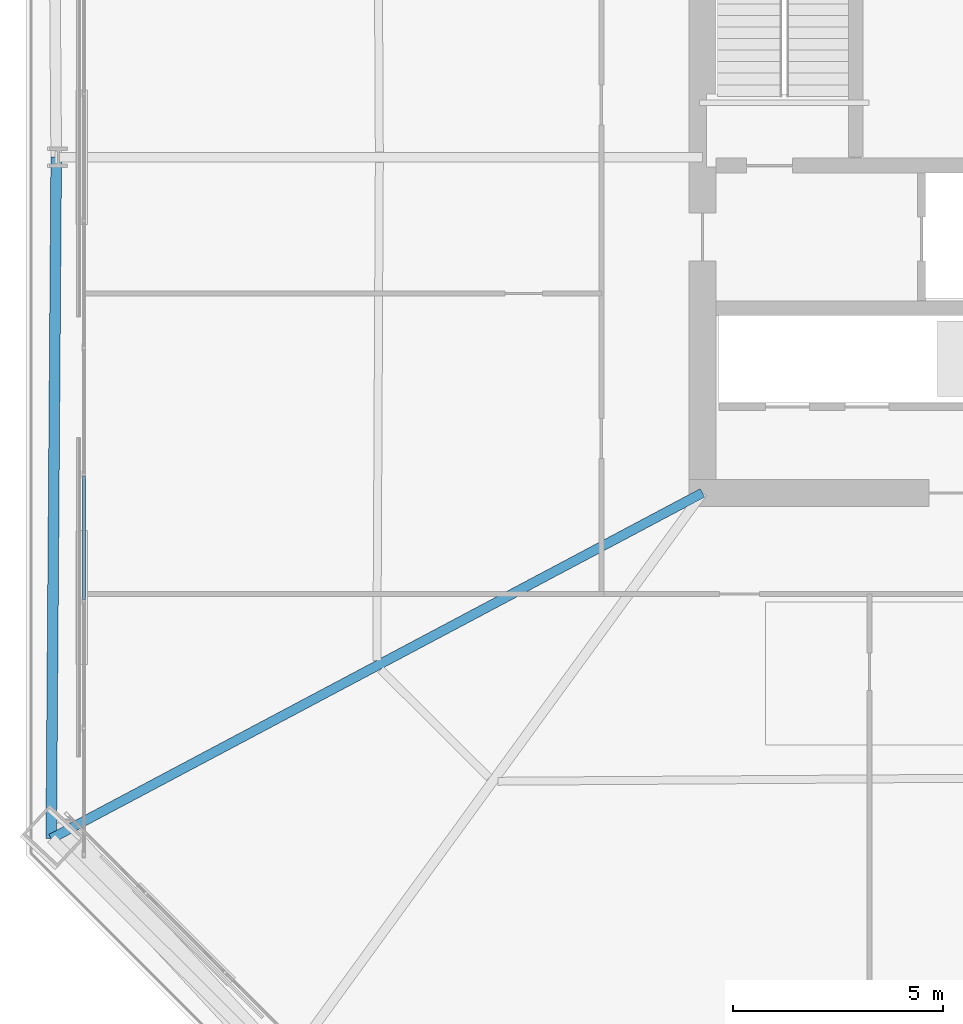
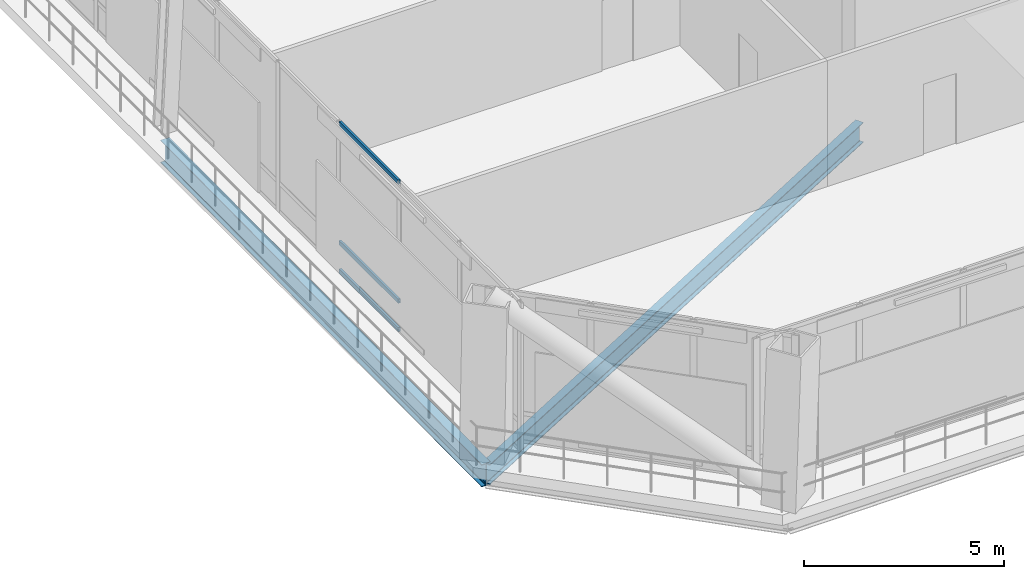
# One storey, part 6 of 48: 3 members, 2 beams, 1 element without a shape of its own.
"""IFC4 building model written with IfcOpenShell, lengths in metres."""

from ifc_helpers import new_model, si_unit, direction, frame, origin, origin_2d, place, context, subcontext, project, spatial, hollow_rectangle, i_section, extrude, material, layer, layer_set, material_profile, profile_set, type_object, element, aggregate, save


model = new_model("IFC4")

# Units and contexts
model_context = context("Model", 3, precision=1e-05, world=origin(), true_north=direction((0.0, 1.0)))
body_context = subcontext(model_context, "Body", "Model", "MODEL_VIEW")
ifc_project = project(units=[si_unit("LENGTHUNIT", "METRE"), si_unit("AREAUNIT", "SQUARE_METRE"), si_unit("VOLUMEUNIT", "CUBIC_METRE"), si_unit("PLANEANGLEUNIT", "RADIAN"), si_unit("MASSUNIT", "GRAM", prefix="KILO")], contexts=[model_context])

# Site, building, storey
site_placement = place(None, origin())
site = spatial("IfcSite", under=ifc_project, at=site_placement, CompositionType="ELEMENT")
building_placement = place(site_placement, origin())
building = spatial("IfcBuilding", under=site, at=building_placement, Name="Caelvoria Tower", CompositionType="ELEMENT")
storey_placement = place(building_placement, frame((0.0, 0.0, 90.39990234375)))
storey = spatial("IfcBuildingStorey", under=building, at=storey_placement, Name="L23", CompositionType="ELEMENT", Elevation=90.39990234375)

# Curtain wall, members
ifc_material_1 = material(Name="Anodised Bronze Aluminium and Low-E Glass", Category="aluminium")
ifc_layer = layer(ifc_material_1, 0.2099609375, Name="Anodised Bronze Aluminium and Low-E Glass")
ifc_layer_set = layer_set([ifc_layer], Name="CW System 3 Sky Lobby Double-Height Acoustic Facade - Anodised Bronze Aluminium and Low-E Glass")
curtain_wall_type = type_object("IfcCurtainWallType", Name="CW System 3 Sky Lobby Double-Height Acoustic Facade", PredefinedType="NOTDEFINED", material=ifc_layer_set)
curtain_wall_placement = place(storey_placement, origin())
curtain_wall = element("IfcCurtainWall", 1, at=curtain_wall_placement, inside=storey, type_object=curtain_wall_type, Name="CW-03 Curtain Wall L23-E6", PredefinedType="NOTDEFINED")
ifc_material_2 = material(Name="Anodised Bronze Architectural Aluminium", Category="aluminium")
ifc_material_profile_1 = material_profile(ifc_material_2, hollow_rectangle(XDim=0.06494140625, YDim=0.1298828125, WallThickness=0.00341796875, at=origin_2d()), Name="Anodised Bronze Architectural Aluminium")
ifc_profile_set_1 = profile_set([ifc_material_profile_1], Name="CW_TRAN_65X130 - Anodised Bronze Architectural Aluminium")
member_type = type_object("IfcMemberType", Name="Curtain Wall Transom 65x130 Bronze Aluminium", PredefinedType="USERDEFINED", material=ifc_profile_set_1)
member_1_placement = place(storey_placement, frame((22.26318359375, 24.404296875, 0.03271484375), z_axis=(0.0, -1.0, 0.0), x_axis=(1.0, 0.0, 0.0)))
member_1 = element("IfcMember", 2, at=member_1_placement, type_object=member_type, Name="CW-03 transom 9.1", ObjectType="TRANSOM", PredefinedType="USERDEFINED", context=body_context, shape_type="SweptSolid", body=[
    extrude(hollow_rectangle(XDim=0.06494140625, YDim=0.1298828125, WallThickness=0.00341796875, at=origin_2d()), origin(), (0.0, 0.0, 1.0), 2.9541015625),
])
member_2_placement = place(storey_placement, frame((22.26318359375, 24.404296875, 0.900146484375), z_axis=(0.0, -1.0, 0.0), x_axis=(1.0, 0.0, 0.0)))
member_2 = element("IfcMember", 3, at=member_2_placement, type_object=member_type, Name="CW-03 transom 9.2", ObjectType="TRANSOM", PredefinedType="USERDEFINED", context=body_context, shape_type="SweptSolid", body=[
    extrude(hollow_rectangle(XDim=0.06494140625, YDim=0.1298828125, WallThickness=0.00341796875, at=origin_2d()), origin(), (0.0, 0.0, 1.0), 2.9541015625),
])
member_3_placement = place(storey_placement, frame((22.26318359375, 24.404296875, 4.527587890625), z_axis=(0.0, -1.0, 0.0), x_axis=(1.0, 0.0, 0.0)))
member_3 = element("IfcMember", 4, at=member_3_placement, type_object=member_type, Name="CW-03 transom 9.3", ObjectType="TRANSOM", PredefinedType="USERDEFINED", context=body_context, shape_type="SweptSolid", body=[
    extrude(hollow_rectangle(XDim=0.06494140625, YDim=0.1298828125, WallThickness=0.00341796875, at=origin_2d()), origin(), (0.0, 0.0, 1.0), 2.9541015625),
])
aggregate(curtain_wall, [member_1, member_2, member_3])

# Beams
ifc_material_3 = material(Name="Structural Steel ASTM A992 Gr.50", Category="steel")
ifc_material_profile_2 = material_profile(ifc_material_3, i_section(OverallWidth=0.25390625, OverallDepth=0.68798828125, WebThickness=0.01318359375, FlangeThickness=0.02099609375, FilletRadius=0.01904296875, at=origin_2d()), Name="Structural Steel ASTM A992 Gr.50")
ifc_profile_set_2 = profile_set([ifc_material_profile_2], Name="W690X152 - Structural Steel ASTM A992 Gr.50")
beam_type_1 = type_object("IfcBeamType", Name="Perimeter Spandrel Girder W690X152", PredefinedType="BEAM", material=ifc_profile_set_2)
beam_1_placement = place(storey_placement, frame((21.603271484375, 32.0, -0.663818359375), z_axis=(-0.00736799945, -0.999972855924, 0.0), x_axis=(0.999972855924, -0.00736799945, 0.0)))
element("IfcBeam", 5, at=beam_1_placement, inside=storey, type_object=beam_type_1, Name="Perimeter Spandrel Girder L23-10", PredefinedType="BEAM", context=body_context, shape_type="SweptSolid", body=[
    extrude(i_section(OverallWidth=0.25390625, OverallDepth=0.68798828125, WebThickness=0.01318359375, FlangeThickness=0.02099609375, FilletRadius=0.01904296875, at=origin_2d()), origin(), (0.0, 0.0, 1.0), 16.236328125),
])
ifc_material_profile_3 = material_profile(ifc_material_3, i_section(OverallWidth=0.22900390625, OverallDepth=0.612060546875, WebThickness=0.011962890625, FlangeThickness=0.01953125, FilletRadius=0.01806640625, at=origin_2d()), Name="Structural Steel ASTM A992 Gr.50")
ifc_profile_set_3 = profile_set([ifc_material_profile_3], Name="W610X125 - Structural Steel ASTM A992 Gr.50")
beam_type_2 = type_object("IfcBeamType", Name="Primary Radial Floor Girder W610X125", PredefinedType="BEAM", material=ifc_profile_set_3)
beam_2_placement = place(storey_placement, frame((37.0, 24.0, -0.6259765625), z_axis=(-0.883286067576, -0.468834430078, 0.0), x_axis=(0.468834430078, -0.883286067576, 0.0)))
element("IfcBeam", 6, at=beam_2_placement, inside=storey, type_object=beam_type_2, Name="Primary Floor Girder L23-11", PredefinedType="BEAM", context=body_context, shape_type="SweptSolid", body=[
    extrude(i_section(OverallWidth=0.22900390625, OverallDepth=0.612060546875, WebThickness=0.011962890625, FlangeThickness=0.01953125, FilletRadius=0.01806640625, at=origin_2d()), origin(), (0.0, 0.0, 1.0), 17.566650390625),
])

save(model, "model.ifc")
